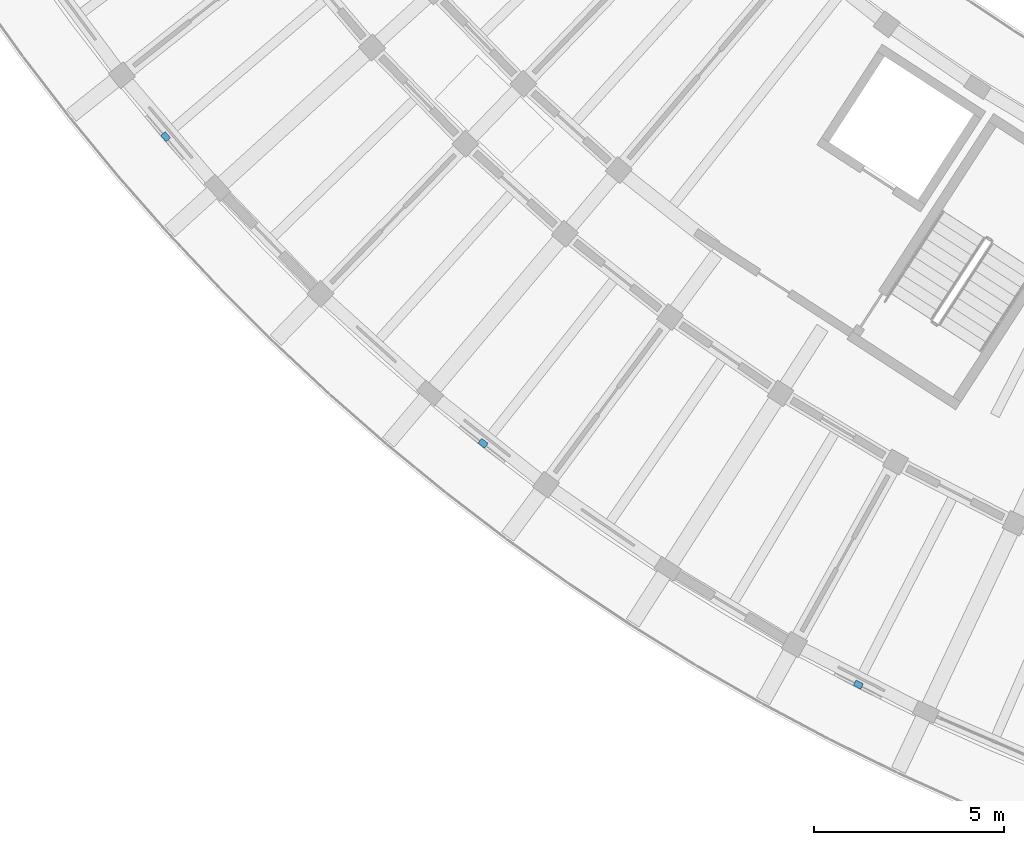
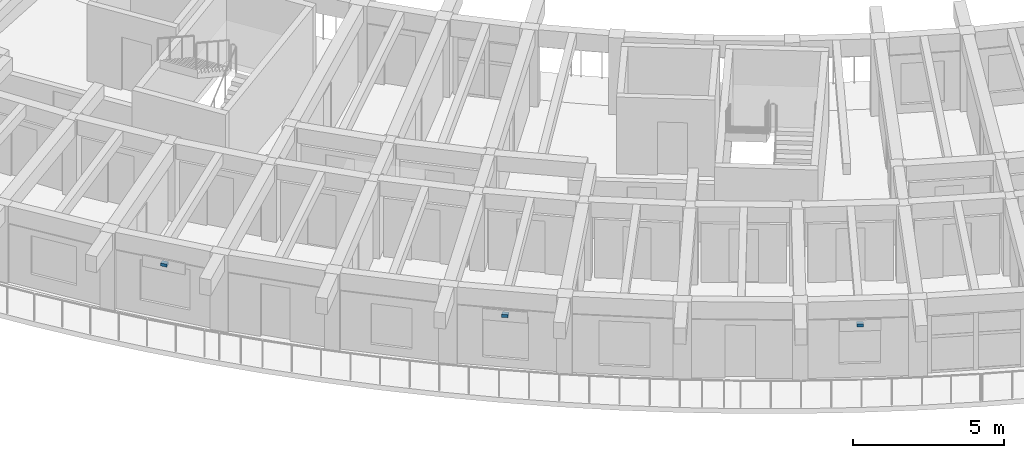
# One storey, part 60 of 83: 3 discrete accessories.
"""IFC4 building model written with IfcOpenShell, lengths in metres."""

from ifc_helpers import new_model, si_unit, direction, frame, origin, origin_2d, place, context, subcontext, project, spatial, rectangle, extrude, material, type_object, element, save


model = new_model("IFC4")

# Units and contexts
model_context = context("Model", 3, precision=1e-05, world=origin(), true_north=direction((0.0, 1.0)))
body_context = subcontext(model_context, "Body", "Model", "MODEL_VIEW")
ifc_project = project(units=[si_unit("LENGTHUNIT", "METRE"), si_unit("AREAUNIT", "SQUARE_METRE"), si_unit("VOLUMEUNIT", "CUBIC_METRE"), si_unit("PLANEANGLEUNIT", "RADIAN"), si_unit("MASSUNIT", "GRAM", prefix="KILO")], contexts=[model_context])

# Site, building, storey
site_placement = place(None, origin())
site = spatial("IfcSite", under=ifc_project, at=site_placement, CompositionType="ELEMENT")
building_placement = place(site_placement, origin())
building = spatial("IfcBuilding", under=site, at=building_placement, Name="Tanwirah Colonnade Gardens", CompositionType="ELEMENT")
storey_placement = place(building_placement, frame((0.0, 0.0, 25.639892578125)))
storey = spatial("IfcBuildingStorey", under=building, at=storey_placement, Name="L07", CompositionType="ELEMENT", Elevation=25.639892578125)

# Discrete accessories
ifc_material = material(Name="Steel S355", Category="steel")
discrete_accessory_type = type_object("IfcDiscreteAccessoryType", Name="BRK-SS1", PredefinedType="BRACKET", material=ifc_material)
for number, where, z_axis, x_axis, name in (
    (1, (19.547607421875, 25.808349609375, 2.18505859375), (0.0, 0.0, 1.0), (0.647787024286, -0.761821482479, 0.0), "Solar screen support bracket C-L07-06"),
    (2, (27.918212890625, 17.724853515625, 2.10009765625), (0.0, 0.0, 1.0), (0.783964750381, -0.62080533999, 0.0), "Solar screen support bracket C-L07-09"),
    (3, (37.81396484375, 11.359619140625, 2.110107421875), (0.0, 0.0, 1.0), (0.890014704164, -0.455931822066, 0.0), "Solar screen support bracket C-L07-12"),
):
    element("IfcDiscreteAccessory", number, at=place(storey_placement, frame(where, z_axis=z_axis, x_axis=x_axis)), inside=storey, type_object=discrete_accessory_type, Name=name, PredefinedType="BRACKET", context=body_context, shape_type="SweptSolid", body=[
        extrude(rectangle(XDim=0.219970703125, YDim=0.159912109375, at=origin_2d()), origin(), (0.0, 0.0, 1.0), 0.1201171875),
    ])

save(model, "model.ifc")
